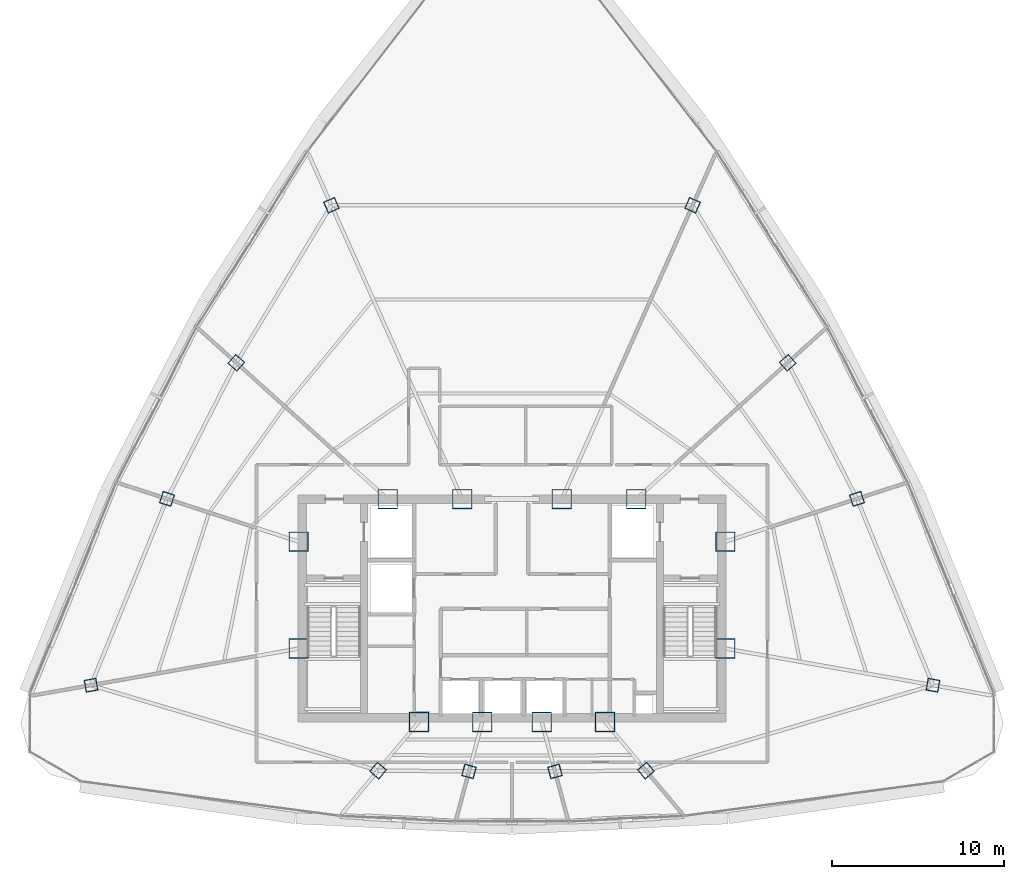
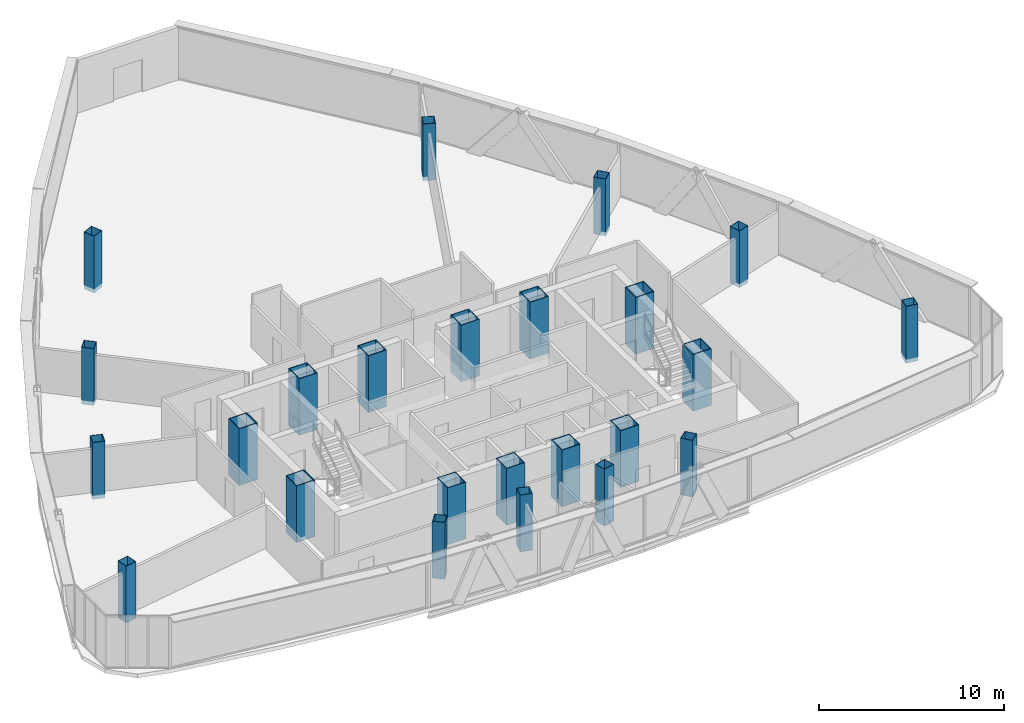
# One storey, part 1 of 26: 24 columns.
"""IFC4 building model written with IfcOpenShell, lengths in metres."""

from ifc_helpers import new_model, si_unit, direction, frame, origin, origin_2d, place, context, subcontext, project, spatial, hollow_rectangle, extrude, source, transform, mapped, material, material_profile, profile_set, type_object, element, save


model = new_model("IFC4")

# Units and contexts
model_context = context("Model", 3, precision=1e-05, world=origin(), true_north=direction((0.0, 1.0)))
body_context = subcontext(model_context, "Body", "Model", "MODEL_VIEW")
ifc_project = project(units=[si_unit("LENGTHUNIT", "METRE"), si_unit("AREAUNIT", "SQUARE_METRE"), si_unit("VOLUMEUNIT", "CUBIC_METRE"), si_unit("PLANEANGLEUNIT", "RADIAN"), si_unit("MASSUNIT", "GRAM", prefix="KILO"), si_unit("THERMODYNAMICTEMPERATUREUNIT", "KELVIN"), si_unit("POWERUNIT", "WATT")], contexts=[model_context])

# Site, building, storey
site_placement = place(None, origin())
site = spatial("IfcSite", under=ifc_project, at=site_placement, CompositionType="ELEMENT")
building_placement = place(site_placement, origin())
building = spatial("IfcBuilding", under=site, at=building_placement, Name="Yunzhuo Pagoda Commons", CompositionType="ELEMENT")
storey_placement = place(building_placement, frame((0.0, 0.0, 340.510009765625)))
storey = spatial("IfcBuildingStorey", under=building, at=storey_placement, Name="L85", CompositionType="ELEMENT", Elevation=340.510009765625)

# Columns
ifc_material_1 = material(Name="Structural steel Q420B", Category="steel")
ifc_material_profile_1 = material_profile(ifc_material_1, hollow_rectangle(XDim=1.14990234375, YDim=1.14990234375, WallThickness=0.048095703125, at=origin_2d()), Name="Structural steel Q420B")
ifc_profile_set_1 = profile_set([ifc_material_profile_1], Name="Structural steel Q420B")
column_type_1 = type_object("IfcColumnType", Name="C-COR Column BOX 1150x1150x48", PredefinedType="COLUMN", material=ifc_profile_set_1)
shared_shape_1 = source(origin(), body_context, "Body", "SweptSolid", [
    extrude(hollow_rectangle(XDim=1.14990234375, YDim=1.14990234375, WallThickness=0.048095703125, at=origin_2d()), origin(), (0.0, 0.0, 1.0), 3.75),
])
for number, where, z_axis, x_axis, name in (
    (1, (42.587890625, 27.25, -0.260009765625), (0.0, 0.0, 1.0), (1.0, 0.0, 0.0), "L85 core composite column F1C1"),
    (2, (46.27197265625, 27.25, -0.260009765625), (0.0, 0.0, 1.0), (1.0, 0.0, 0.0), "L85 core composite column F1C2"),
    (3, (49.728515625, 27.25, -0.260009765625), (0.0, 0.0, 1.0), (1.0, 0.0, 0.0), "L85 core composite column F1C3"),
    (4, (53.412109375, 27.25, -0.260009765625), (0.0, 0.0, 1.0), (1.0, 0.0, 0.0), "L85 core composite column F1C4"),
    (5, (60.39990234375, 31.513427734375, -0.260009765625), (0.0, 0.0, 1.0), (1.0, 0.0, 0.0), "L85 core composite column F2C1"),
    (6, (60.39990234375, 37.72900390625, -0.260009765625), (0.0, 0.0, 1.0), (1.0, 0.0, 0.0), "L85 core composite column F2C2"),
    (7, (55.218994140625, 40.199951171875, -0.260009765625), (0.0, 0.0, 1.0), (1.0, 0.0, 0.0), "L85 core composite column F2C3"),
    (8, (50.89404296875, 40.199951171875, -0.260009765625), (0.0, 0.0, 1.0), (1.0, 0.0, 0.0), "L85 core composite column F2C4"),
    (9, (45.10595703125, 40.199951171875, -0.260009765625), (0.0, 0.0, 1.0), (1.0, 0.0, 0.0), "L85 core composite column F3C1"),
    (10, (40.781005859375, 40.199951171875, -0.260009765625), (0.0, 0.0, 1.0), (1.0, 0.0, 0.0), "L85 core composite column F3C2"),
    (11, (35.60009765625, 37.72900390625, -0.260009765625), (0.0, 0.0, 1.0), (1.0, 0.0, 0.0), "L85 core composite column F3C3"),
    (12, (35.60009765625, 31.513427734375, -0.260009765625), (0.0, 0.0, 1.0), (1.0, 0.0, 0.0), "L85 core composite column F3C4"),
):
    element("IfcColumn", number, at=place(storey_placement, frame(where, z_axis=z_axis, x_axis=x_axis)), inside=storey, type_object=column_type_1, Name=name, PredefinedType="COLUMN", context=body_context, shape_type="MappedRepresentation", body=[
        mapped(shared_shape_1, transform((0.0, 0.0, 0.0), scale=1.0)),
    ])
ifc_material_2 = material(Name="Structural steel Q355B", Category="steel")
ifc_material_profile_2 = material_profile(ifc_material_2, hollow_rectangle(XDim=0.699951171875, YDim=0.699951171875, WallThickness=0.02587890625, at=origin_2d()), Name="Structural steel Q355B")
ifc_profile_set_2 = profile_set([ifc_material_profile_2], Name="Structural steel Q355B")
column_type_2 = type_object("IfcColumnType", Name="C-Z7 Column BOX 700x700x26", PredefinedType="COLUMN", material=ifc_profile_set_2)
shared_shape_2 = source(origin(), body_context, "Body", "SweptSolid", [
    extrude(hollow_rectangle(XDim=0.699951171875, YDim=0.699951171875, WallThickness=0.02587890625, at=origin_2d()), origin(), (0.0, 0.0, 1.0), 3.75),
])
for number, where, z_axis, x_axis, name in (
    (13, (40.214599609375, 24.421630859375, -0.260009765625), (0.0, 0.0, 1.0), (0.766044443119, -0.642787609687, 0.0), "L85 tower column F1C1"),
    (14, (45.500732421875, 24.372802734375, -0.260009765625), (0.0, 0.0, 1.0), (0.965925826289, -0.258819045103, 0.0), "L85 tower column F1C2"),
    (15, (50.499267578125, 24.372802734375, -0.260009765625), (0.0, 0.0, 1.0), (0.965925826289, 0.258819045103, 0.0), "L85 tower column F1C3"),
    (16, (55.785400390625, 24.421630859375, -0.260009765625), (0.0, 0.0, 1.0), (0.766044443119, 0.642787609687, 0.0), "L85 tower column F1C4"),
    (17, (72.47021484375, 29.38525390625, -0.260009765625), (0.0, 0.0, 1.0), (0.173648177667, 0.984807753012, 0.0), "L85 tower column F2C1"),
    (18, (68.053466796875, 40.2158203125, -0.260009765625), (0.0, 0.0, 1.0), (-0.309016994375, 0.951056516295, 0.0), "L85 tower column F2C2"),
    (19, (64.024658203125, 48.128662109375, -0.260009765625), (0.0, 0.0, 1.0), (-0.669130606359, 0.743144825477, 0.0), "L85 tower column F2C3"),
    (20, (58.498779296875, 57.281005859375, -0.260009765625), (0.0, 0.0, 1.0), (-0.913545457643, 0.406736643076, 0.0), "L85 tower column F2C4"),
    (21, (37.501220703125, 57.281005859375, -0.260009765625), (0.0, 0.0, 1.0), (-0.913545457643, -0.406736643076, 0.0), "L85 tower column F3C1"),
    (22, (31.975341796875, 48.128662109375, -0.260009765625), (0.0, 0.0, 1.0), (-0.669130606359, -0.743144825477, 0.0), "L85 tower column F3C2"),
    (23, (27.946533203125, 40.2158203125, -0.260009765625), (0.0, 0.0, 1.0), (-0.309016994375, -0.951056516295, 0.0), "L85 tower column F3C3"),
    (24, (23.52978515625, 29.38525390625, -0.260009765625), (0.0, 0.0, 1.0), (0.173648177667, -0.984807753012, 0.0), "L85 tower column F3C4"),
):
    element("IfcColumn", number, at=place(storey_placement, frame(where, z_axis=z_axis, x_axis=x_axis)), inside=storey, type_object=column_type_2, Name=name, PredefinedType="COLUMN", context=body_context, shape_type="MappedRepresentation", body=[
        mapped(shared_shape_2, transform((0.0, 0.0, 0.0), scale=1.0)),
    ])

save(model, "model.ifc")
